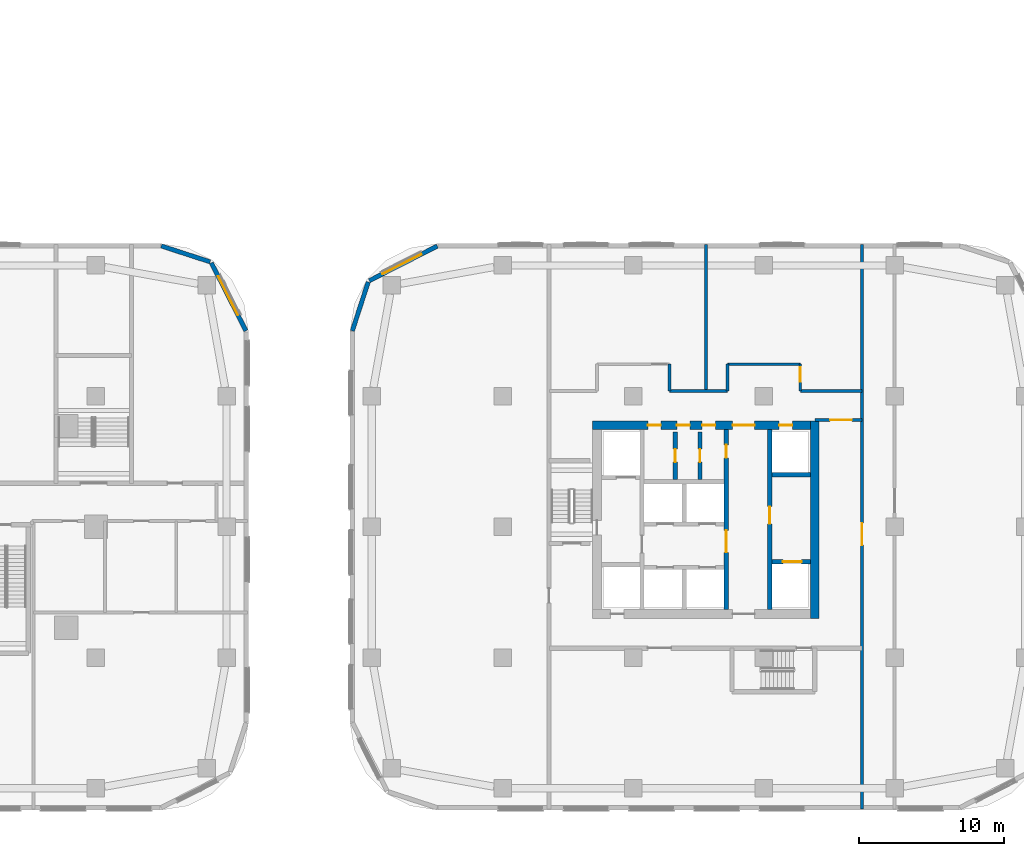
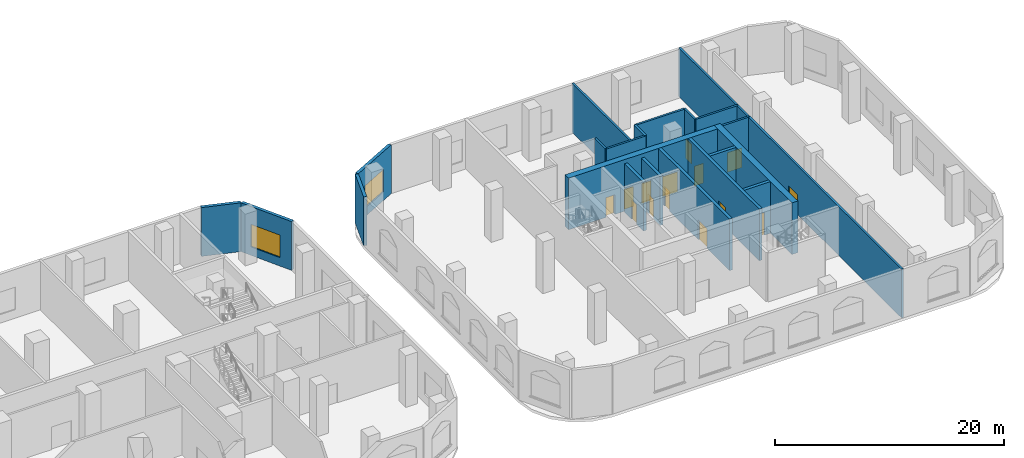
# One storey, part 10 of 31: 21 walls, 14 doors, 2 windows, 16 openings.
"""IFC4 building model written with IfcOpenShell, lengths in metres."""

from ifc_helpers import new_model, si_unit, direction, frame, frame_2d, origin, place, context, subcontext, project, spatial, rectangle, extrude, material, layer, layer_set, type_object, element, fill, save


model = new_model("IFC4")

# Units and contexts
model_context = context("Model", 3, precision=1e-05, world=origin(), true_north=direction((0.0, 1.0)))
body_context = subcontext(model_context, "Body", "Model", "MODEL_VIEW")
ifc_project = project(units=[si_unit("LENGTHUNIT", "METRE"), si_unit("AREAUNIT", "SQUARE_METRE"), si_unit("VOLUMEUNIT", "CUBIC_METRE"), si_unit("PLANEANGLEUNIT", "RADIAN"), si_unit("MASSUNIT", "GRAM", prefix="KILO")], contexts=[model_context])

# Site, building, storey
site_placement = place(None, origin())
site = spatial("IfcSite", under=ifc_project, at=site_placement, CompositionType="ELEMENT")
building_placement = place(site_placement, origin())
building = spatial("IfcBuilding", under=site, at=building_placement, Name="Ogive Portal Towers", CompositionType="ELEMENT")
storey_placement = place(building_placement, frame((0.0, 0.0, 8.0)))
storey = spatial("IfcBuildingStorey", under=building, at=storey_placement, Name="L01", CompositionType="ELEMENT", Elevation=8.0)

# Wall, openings, doors
ifc_material_1 = material(Name="Concrete C60/75", Category="concrete")
ifc_layer_1 = layer(ifc_material_1, 0.300048828125)
ifc_layer_set_1 = layer_set([ifc_layer_1], Name="CORE WALL 300 C60")
wall_type_1 = type_object("IfcWallType", Name="CORE WALL 300 C60", PredefinedType="SHEAR", material=ifc_layer_set_1)
wall_1_placement = place(storey_placement, frame((137.89990234375, 24.800048828125, 0.0), z_axis=(0.0, 0.0, 1.0), x_axis=(0.0, 1.0, 0.0)))
wall_1 = element("IfcWall", 1, at=wall_1_placement, inside=storey, type_object=wall_type_1, Name="Tower B core wall BX2 L01", PredefinedType="SHEAR", context=body_context, shape_type="SweptSolid", body=[
    extrude(rectangle(XDim=12.39990234375, YDim=0.300048828125, at=frame_2d((6.199951171875, 0.0))), origin(), (0.0, 0.0, 1.0), 5.5),
])
opening_1_placement = place(wall_1_placement, frame((3.949951171875, 0.0, 0.0)))
opening_1 = element("IfcOpeningElement", 2, at=opening_1_placement, cuts=wall_1, Name="Opening P01-044", PredefinedType="OPENING", context=body_context, shape_type="SweptSolid", body=[
    extrude(rectangle(XDim=1.5, YDim=2.10009765625, at=frame_2d((0.75, 1.050048828125))), frame((0.0, 0.16015625, 0.0), z_axis=(0.0, -1.0, 0.0), x_axis=(1.0, 0.0, 0.0)), (0.0, 0.0, 1.0), 0.320068359375),
])
opening_2_placement = place(wall_1_placement, frame((10.449951171875, 0.0, 0.0)))
opening_2 = element("IfcOpeningElement", 3, at=opening_2_placement, cuts=wall_1, Name="Opening P01-061", PredefinedType="OPENING", context=body_context, shape_type="SweptSolid", body=[
    extrude(rectangle(XDim=0.89990234375, YDim=2.10009765625, at=frame_2d((0.449951171875, 1.050048828125))), frame((0.0, 0.16015625, 0.0), z_axis=(0.0, -1.0, 0.0), x_axis=(1.0, 0.0, 0.0)), (0.0, 0.0, 1.0), 0.320068359375),
])
ifc_material_2 = material(Name="Steel fire door", Category="steel")
door_type_1 = type_object("IfcDoorType", Name="DT-SWING-1500x2100-FD90S", OperationType="SINGLE_SWING_LEFT", PredefinedType="DOOR", material=ifc_material_2)
door_1_placement = place(opening_1_placement, origin())
door_1 = element("IfcDoor", 4, at=door_1_placement, inside=storey, type_object=door_type_1, Name="Door P01-044", OperationType="SINGLE_SWING_RIGHT", OverallHeight=2.10009765625, OverallWidth=1.5, PredefinedType="DOOR", context=body_context, shape_type="SweptSolid", body=[
    extrude(rectangle(XDim=1.5, YDim=2.10009765625, at=frame_2d((0.75, 1.050048828125))), frame((0.0, 0.02490234375, 0.0), z_axis=(0.0, -1.0, 0.0), x_axis=(1.0, 0.0, 0.0)), (0.0, 0.0, 1.0), 0.050048828125),
])
fill(opening_1, door_1)
door_type_2 = type_object("IfcDoorType", Name="DT-SWING-900x2100-FD90S", OperationType="SINGLE_SWING_LEFT", PredefinedType="DOOR", material=ifc_material_2)
door_2_placement = place(opening_2_placement, origin())
door_2 = element("IfcDoor", 5, at=door_2_placement, inside=storey, type_object=door_type_2, Name="Door P01-061", OperationType="SINGLE_SWING_RIGHT", OverallHeight=2.10009765625, OverallWidth=0.89990234375, PredefinedType="DOOR", context=body_context, shape_type="SweptSolid", body=[
    extrude(rectangle(XDim=0.89990234375, YDim=2.10009765625, at=frame_2d((0.449951171875, 1.050048828125))), frame((0.0, 0.02490234375, 0.0), z_axis=(0.0, -1.0, 0.0), x_axis=(1.0, 0.0, 0.0)), (0.0, 0.0, 1.0), 0.050048828125),
])
fill(opening_2, door_2)

# Wall, opening, door
wall_2_placement = place(storey_placement, frame((140.89990234375, 24.800048828125, 0.0), z_axis=(0.0, 0.0, 1.0), x_axis=(0.0, 1.0, 0.0)))
wall_2 = element("IfcWall", 6, at=wall_2_placement, inside=storey, type_object=wall_type_1, Name="Tower B core wall BX3 L01", PredefinedType="SHEAR", context=body_context, shape_type="SweptSolid", body=[
    extrude(rectangle(XDim=12.39990234375, YDim=0.300048828125, at=frame_2d((6.199951171875, 0.0))), origin(), (0.0, 0.0, 1.0), 5.5),
])
opening_3_placement = place(wall_2_placement, frame((5.89990234375, 0.0, 0.0)))
opening_3 = element("IfcOpeningElement", 7, at=opening_3_placement, cuts=wall_2, Name="Opening P01-046", PredefinedType="OPENING", context=body_context, shape_type="SweptSolid", body=[
    extrude(rectangle(XDim=1.199951171875, YDim=2.10009765625, at=frame_2d((0.60009765625, 1.050048828125))), frame((0.0, 0.16015625, 0.0), z_axis=(0.0, -1.0, 0.0), x_axis=(1.0, 0.0, 0.0)), (0.0, 0.0, 1.0), 0.320068359375),
])
door_type_3 = type_object("IfcDoorType", Name="DT-SWING-1200x2100-FD90S", OperationType="SINGLE_SWING_LEFT", PredefinedType="DOOR", material=ifc_material_2)
door_3_placement = place(opening_3_placement, origin())
door_3 = element("IfcDoor", 8, at=door_3_placement, inside=storey, type_object=door_type_3, Name="Door P01-046", OperationType="SINGLE_SWING_RIGHT", OverallHeight=2.10009765625, OverallWidth=1.199951171875, PredefinedType="DOOR", context=body_context, shape_type="SweptSolid", body=[
    extrude(rectangle(XDim=1.199951171875, YDim=2.10009765625, at=frame_2d((0.60009765625, 1.050048828125))), frame((0.0, 0.02490234375, 0.0), z_axis=(0.0, -1.0, 0.0), x_axis=(1.0, 0.0, 0.0)), (0.0, 0.0, 1.0), 0.050048828125),
])
fill(opening_3, door_3)

wall_3_placement = place(storey_placement, frame((141.050048828125, 28.10009765625, 0.0), z_axis=(0.0, 0.0, 1.0), x_axis=(1.0, 0.0, 0.0)))
wall_3 = element("IfcWall", 9, at=wall_3_placement, inside=storey, type_object=wall_type_1, Name="Tower B core wall BY6 L01", PredefinedType="SHEAR", context=body_context, shape_type="SweptSolid", body=[
    extrude(rectangle(XDim=2.64990234375, YDim=0.300048828125, at=frame_2d((1.324951171875, 0.0))), origin(), (0.0, 0.0, 1.0), 5.5),
])
opening_4_placement = place(wall_3_placement, frame((0.75, 0.0, 0.0)))
opening_4 = element("IfcOpeningElement", 10, at=opening_4_placement, cuts=wall_3, Name="Opening P01-057", PredefinedType="OPENING", context=body_context, shape_type="SweptSolid", body=[
    extrude(rectangle(XDim=1.300048828125, YDim=2.39990234375, at=frame_2d((0.64990234375, 1.199951171875))), frame((0.0, 0.16015625, 0.0), z_axis=(0.0, -1.0, 0.0), x_axis=(1.0, 0.0, 0.0)), (0.0, 0.0, 1.0), 0.320068359375),
])
ifc_material_3 = material(Name="Stainless steel", Category="steel")
door_type_4 = type_object("IfcDoorType", Name="DT-LD-1300x2400", OperationType="SLIDING_TO_LEFT", PredefinedType="DOOR", material=ifc_material_3)
door_4_placement = place(opening_4_placement, origin())
door_4 = element("IfcDoor", 11, at=door_4_placement, inside=storey, type_object=door_type_4, Name="Door P01-057", OperationType="SLIDING_TO_LEFT", OverallHeight=2.39990234375, OverallWidth=1.300048828125, PredefinedType="DOOR", context=body_context, shape_type="SweptSolid", body=[
    extrude(rectangle(XDim=1.300048828125, YDim=2.39990234375, at=frame_2d((0.64990234375, 1.199951171875))), frame((0.0, 0.02490234375, 0.0), z_axis=(0.0, -1.0, 0.0), x_axis=(1.0, 0.0, 0.0)), (0.0, 0.0, 1.0), 0.050048828125),
])
fill(opening_4, door_4)

# Walls
wall_4_placement = place(storey_placement, frame((141.050048828125, 34.10009765625, 0.0), z_axis=(0.0, 0.0, 1.0), x_axis=(1.0, 0.0, 0.0)))
element("IfcWall", 12, at=wall_4_placement, inside=storey, type_object=wall_type_1, Name="Tower B core wall BY7 L01", PredefinedType="SHEAR", context=body_context, shape_type="SweptSolid", body=[
    extrude(rectangle(XDim=2.64990234375, YDim=0.300048828125, at=frame_2d((1.324951171875, 0.0))), origin(), (0.0, 0.0, 1.0), 5.5),
])
ifc_layer_2 = layer(ifc_material_1, 0.60009765625)
ifc_layer_set_2 = layer_set([ifc_layer_2], Name="CORE WALL 600 C60")
wall_type_2 = type_object("IfcWallType", Name="CORE WALL 600 C60", PredefinedType="SHEAR", material=ifc_layer_set_2)
wall_5_placement = place(storey_placement, frame((144.0, 24.199951171875, 0.0), z_axis=(0.0, 0.0, 1.0), x_axis=(0.0, 1.0, 0.0)))
element("IfcWall", 13, at=wall_5_placement, inside=storey, type_object=wall_type_2, Name="Tower B core wall BE L01", PredefinedType="SHEAR", context=body_context, shape_type="SweptSolid", body=[
    extrude(rectangle(XDim=13.60009765625, YDim=0.60009765625, at=frame_2d((6.800048828125, 0.0))), origin(), (0.0, 0.0, 1.0), 5.5),
])

# Wall, openings, doors
wall_6_placement = place(storey_placement, frame((128.699951171875, 37.5, 0.0), z_axis=(0.0, 0.0, 1.0), x_axis=(1.0, 0.0, 0.0)))
wall_6 = element("IfcWall", 14, at=wall_6_placement, inside=storey, type_object=wall_type_2, Name="Tower B core wall BN L01", PredefinedType="SHEAR", context=body_context, shape_type="SweptSolid", body=[
    extrude(rectangle(XDim=15.0, YDim=0.60009765625, at=frame_2d((7.5, 0.0))), origin(), (0.0, 0.0, 1.0), 5.5),
])
opening_5_placement = place(wall_6_placement, frame((9.64990234375, 0.0, 0.0)))
opening_5 = element("IfcOpeningElement", 15, at=opening_5_placement, cuts=wall_6, Name="Opening P01-049", PredefinedType="OPENING", context=body_context, shape_type="SweptSolid", body=[
    extrude(rectangle(XDim=1.5, YDim=2.10009765625, at=frame_2d((0.75, 1.050048828125))), frame((0.0, 0.31005859375, 0.0), z_axis=(0.0, -1.0, 0.0), x_axis=(1.0, 0.0, 0.0)), (0.0, 0.0, 1.0), 0.6201171875),
])
opening_6_placement = place(wall_6_placement, frame((12.85009765625, 0.0, 0.0)))
opening_6 = element("IfcOpeningElement", 16, at=opening_6_placement, cuts=wall_6, Name="Opening P01-051", PredefinedType="OPENING", context=body_context, shape_type="SweptSolid", body=[
    extrude(rectangle(XDim=0.89990234375, YDim=2.10009765625, at=frame_2d((0.449951171875, 1.050048828125))), frame((0.0, 0.31005859375, 0.0), z_axis=(0.0, -1.0, 0.0), x_axis=(1.0, 0.0, 0.0)), (0.0, 0.0, 1.0), 0.6201171875),
])
opening_7_placement = place(wall_6_placement, frame((3.800048828125, 0.0, 0.0)))
opening_7 = element("IfcOpeningElement", 17, at=opening_7_placement, cuts=wall_6, Name="Opening P01-058", PredefinedType="OPENING", context=body_context, shape_type="SweptSolid", body=[
    extrude(rectangle(XDim=0.89990234375, YDim=2.10009765625, at=frame_2d((0.449951171875, 1.050048828125))), frame((0.0, 0.31005859375, 0.0), z_axis=(0.0, -1.0, 0.0), x_axis=(1.0, 0.0, 0.0)), (0.0, 0.0, 1.0), 0.6201171875),
])
opening_8_placement = place(wall_6_placement, frame((5.800048828125, 0.0, 0.0)))
opening_8 = element("IfcOpeningElement", 18, at=opening_8_placement, cuts=wall_6, Name="Opening P01-059", PredefinedType="OPENING", context=body_context, shape_type="SweptSolid", body=[
    extrude(rectangle(XDim=0.89990234375, YDim=2.10009765625, at=frame_2d((0.449951171875, 1.050048828125))), frame((0.0, 0.31005859375, 0.0), z_axis=(0.0, -1.0, 0.0), x_axis=(1.0, 0.0, 0.0)), (0.0, 0.0, 1.0), 0.6201171875),
])
opening_9_placement = place(wall_6_placement, frame((7.550048828125, 0.0, 0.0)))
opening_9 = element("IfcOpeningElement", 19, at=opening_9_placement, cuts=wall_6, Name="Opening P01-060", PredefinedType="OPENING", context=body_context, shape_type="SweptSolid", body=[
    extrude(rectangle(XDim=0.89990234375, YDim=2.10009765625, at=frame_2d((0.449951171875, 1.050048828125))), frame((0.0, 0.31005859375, 0.0), z_axis=(0.0, -1.0, 0.0), x_axis=(1.0, 0.0, 0.0)), (0.0, 0.0, 1.0), 0.6201171875),
])
door_5_placement = place(opening_5_placement, origin())
door_5 = element("IfcDoor", 20, at=door_5_placement, inside=storey, type_object=door_type_1, Name="Door P01-049", OperationType="SINGLE_SWING_RIGHT", OverallHeight=2.10009765625, OverallWidth=1.5, PredefinedType="DOOR", context=body_context, shape_type="SweptSolid", body=[
    extrude(rectangle(XDim=1.5, YDim=2.10009765625, at=frame_2d((0.75, 1.050048828125))), frame((0.0, 0.02490234375, 0.0), z_axis=(0.0, -1.0, 0.0), x_axis=(1.0, 0.0, 0.0)), (0.0, 0.0, 1.0), 0.050048828125),
])
fill(opening_5, door_5)
door_6_placement = place(opening_6_placement, origin())
door_6 = element("IfcDoor", 21, at=door_6_placement, inside=storey, type_object=door_type_2, Name="Riser access door P01-051", OperationType="SINGLE_SWING_RIGHT", OverallHeight=2.10009765625, OverallWidth=0.89990234375, PredefinedType="DOOR", context=body_context, shape_type="SweptSolid", body=[
    extrude(rectangle(XDim=0.89990234375, YDim=2.10009765625, at=frame_2d((0.449951171875, 1.050048828125))), frame((0.0, 0.02490234375, 0.0), z_axis=(0.0, -1.0, 0.0), x_axis=(1.0, 0.0, 0.0)), (0.0, 0.0, 1.0), 0.050048828125),
])
fill(opening_6, door_6)
door_7_placement = place(opening_7_placement, origin())
door_7 = element("IfcDoor", 22, at=door_7_placement, inside=storey, type_object=door_type_2, Name="Door P01-058", OperationType="SINGLE_SWING_LEFT", OverallHeight=2.10009765625, OverallWidth=0.89990234375, PredefinedType="DOOR", context=body_context, shape_type="SweptSolid", body=[
    extrude(rectangle(XDim=0.89990234375, YDim=2.10009765625, at=frame_2d((0.449951171875, 1.050048828125))), frame((0.0, 0.02490234375, 0.0), z_axis=(0.0, -1.0, 0.0), x_axis=(1.0, 0.0, 0.0)), (0.0, 0.0, 1.0), 0.050048828125),
])
fill(opening_7, door_7)
door_8_placement = place(opening_8_placement, origin())
door_8 = element("IfcDoor", 23, at=door_8_placement, inside=storey, type_object=door_type_2, Name="Door P01-059", OperationType="SINGLE_SWING_RIGHT", OverallHeight=2.10009765625, OverallWidth=0.89990234375, PredefinedType="DOOR", context=body_context, shape_type="SweptSolid", body=[
    extrude(rectangle(XDim=0.89990234375, YDim=2.10009765625, at=frame_2d((0.449951171875, 1.050048828125))), frame((0.0, 0.02490234375, 0.0), z_axis=(0.0, -1.0, 0.0), x_axis=(1.0, 0.0, 0.0)), (0.0, 0.0, 1.0), 0.050048828125),
])
fill(opening_8, door_8)
door_9_placement = place(opening_9_placement, origin())
door_9 = element("IfcDoor", 24, at=door_9_placement, inside=storey, type_object=door_type_2, Name="Door P01-060", OperationType="SINGLE_SWING_LEFT", OverallHeight=2.10009765625, OverallWidth=0.89990234375, PredefinedType="DOOR", context=body_context, shape_type="SweptSolid", body=[
    extrude(rectangle(XDim=0.89990234375, YDim=2.10009765625, at=frame_2d((0.449951171875, 1.050048828125))), frame((0.0, 0.02490234375, 0.0), z_axis=(0.0, -1.0, 0.0), x_axis=(1.0, 0.0, 0.0)), (0.0, 0.0, 1.0), 0.050048828125),
])
fill(opening_9, door_9)

# Wall, opening, window
ifc_material_4 = material(Name="Limestone cladding on lightweight block wall", Category="masonry")
ifc_layer_3 = layer(ifc_material_4, 0.300048828125)
ifc_layer_set_3 = layer_set([ifc_layer_3], Name="EXTERNAL WALL 300 STONE")
wall_type_3 = type_object("IfcWallType", Name="EXTERNAL WALL 300 STONE", PredefinedType="SOLIDWALL", material=ifc_layer_set_3)
wall_7_placement = place(storey_placement, frame((104.833740234375, 43.99609375, 0.0), z_axis=(0.0, 0.0, 1.0), x_axis=(-0.454006562826, 0.890998339455, 0.0)))
wall_7 = element("IfcWall", 25, at=wall_7_placement, inside=storey, type_object=wall_type_3, Name="A:L01:f06:w0", PredefinedType="SOLIDWALL", context=body_context, shape_type="SweptSolid", body=[
    extrude(rectangle(XDim=5.251708984375, YDim=0.300048828125, at=frame_2d((2.6259765625, 0.0))), origin(), (0.0, 0.0, 1.0), 5.199951171875),
])
opening_10_placement = place(wall_7_placement, frame((1.223876953125, 0.0, 0.89990234375)))
opening_10 = element("IfcOpeningElement", 26, at=opening_10_placement, cuts=wall_7, Name="Opening WN3", PredefinedType="OPENING", context=body_context, shape_type="SweptSolid", body=[
    extrude(rectangle(XDim=3.0, YDim=2.39990234375, at=frame_2d((1.5, 1.199951171875))), frame((0.0, 0.16015625, 0.0), z_axis=(0.0, -1.0, 0.0), x_axis=(1.0, 0.0, 0.0)), (0.0, 0.0, 1.0), 0.320068359375),
])
ifc_material_5 = material(Name="Glass, clear low-iron insulated glazing", Category="glass")
window_type = type_object("IfcWindowType", Name="WINDOW PODIUM 3000x2400", PartitioningType="SINGLE_PANEL", PredefinedType="WINDOW", material=ifc_material_5)
window_1_placement = place(opening_10_placement, origin())
window_1 = element("IfcWindow", 27, at=window_1_placement, inside=storey, type_object=window_type, Name="A:L01:f06:w0:o0", OverallHeight=2.39990234375, OverallWidth=3.0, PartitioningType="SINGLE_PANEL", PredefinedType="WINDOW", context=body_context, shape_type="SweptSolid", body=[
    extrude(rectangle(XDim=3.0, YDim=2.39990234375, at=frame_2d((1.5, 1.199951171875))), frame((0.0, 0.030029296875, 0.0), z_axis=(0.0, -1.0, 0.0), x_axis=(1.0, 0.0, 0.0)), (0.0, 0.0, 1.0), 0.06005859375),
])
fill(opening_10, window_1)

# Wall
wall_8_placement = place(storey_placement, frame((102.362060546875, 48.749755859375, 0.0), z_axis=(0.0, 0.0, 1.0), x_axis=(-0.951038127287, 0.309073584194, 0.0)))
element("IfcWall", 28, at=wall_8_placement, inside=storey, type_object=wall_type_3, Name="A:L01:f07:w0", PredefinedType="SOLIDWALL", context=body_context, shape_type="SweptSolid", body=[
    extrude(rectangle(XDim=3.536376953125, YDim=0.300048828125, at=frame_2d((1.76806640625, 0.0))), origin(), (0.0, 0.0, 1.0), 5.199951171875),
])

# Wall, opening, window
wall_9_placement = place(storey_placement, frame((118.00390625, 49.833740234375, 0.0), z_axis=(0.0, 0.0, 1.0), x_axis=(-0.890998339455, -0.454006562826, 0.0)))
wall_9 = element("IfcWall", 29, at=wall_9_placement, inside=storey, type_object=wall_type_3, Name="B:L01:f09:w0", PredefinedType="SOLIDWALL", context=body_context, shape_type="SweptSolid", body=[
    extrude(rectangle(XDim=5.251708984375, YDim=0.300048828125, at=frame_2d((2.6259765625, 0.0))), origin(), (0.0, 0.0, 1.0), 5.199951171875),
])
opening_11_placement = place(wall_9_placement, frame((1.223876953125, 0.0, 0.89990234375)))
opening_11 = element("IfcOpeningElement", 30, at=opening_11_placement, cuts=wall_9, Name="Opening WN3", PredefinedType="OPENING", context=body_context, shape_type="SweptSolid", body=[
    extrude(rectangle(XDim=3.0, YDim=2.39990234375, at=frame_2d((1.5, 1.199951171875))), frame((0.0, 0.16015625, 0.0), z_axis=(0.0, -1.0, 0.0), x_axis=(1.0, 0.0, 0.0)), (0.0, 0.0, 1.0), 0.320068359375),
])
window_2_placement = place(opening_11_placement, origin())
window_2 = element("IfcWindow", 31, at=window_2_placement, inside=storey, type_object=window_type, Name="B:L01:f09:w0:o0", OverallHeight=2.39990234375, OverallWidth=3.0, PartitioningType="SINGLE_PANEL", PredefinedType="WINDOW", context=body_context, shape_type="SweptSolid", body=[
    extrude(rectangle(XDim=3.0, YDim=2.39990234375, at=frame_2d((1.5, 1.199951171875))), frame((0.0, 0.030029296875, 0.0), z_axis=(0.0, -1.0, 0.0), x_axis=(1.0, 0.0, 0.0)), (0.0, 0.0, 1.0), 0.06005859375),
])
fill(opening_11, window_2)

# Wall
wall_10_placement = place(storey_placement, frame((113.250244140625, 47.362060546875, 0.0), z_axis=(0.0, 0.0, 1.0), x_axis=(-0.309073584194, -0.951038127287, 0.0)))
element("IfcWall", 32, at=wall_10_placement, inside=storey, type_object=wall_type_3, Name="B:L01:f10:w0", PredefinedType="SOLIDWALL", context=body_context, shape_type="SweptSolid", body=[
    extrude(rectangle(XDim=3.536376953125, YDim=0.300048828125, at=frame_2d((1.76806640625, 0.0))), origin(), (0.0, 0.0, 1.0), 5.199951171875),
])

# Wall, opening, door
ifc_material_6 = material(Name="Gypsum board partition on steel studs", Category="steel")
ifc_layer_4 = layer(ifc_material_6, 0.199951171875)
ifc_layer_set_4 = layer_set([ifc_layer_4], Name="WT-PART-200-EI 60")
wall_type_4 = type_object("IfcWallType", Name="WT-PART-200-EI 60", PredefinedType="PARTITIONING", material=ifc_layer_set_4)
wall_11_placement = place(storey_placement, frame((144.02001953125, 37.85009765625, 0.0), z_axis=(0.0, 0.0, 1.0), x_axis=(1.0, 0.0, 0.0)))
wall_11 = element("IfcWall", 33, at=wall_11_placement, inside=storey, type_object=wall_type_4, Name="Wall L01:w019", PredefinedType="PARTITIONING", context=body_context, shape_type="SweptSolid", body=[
    extrude(rectangle(XDim=3.22998046875, YDim=0.199951171875, at=frame_2d((1.614990234375, 0.0))), origin(), (0.0, 0.0, 1.0), 5.199951171875),
])
opening_12_placement = place(wall_11_placement, frame((1.030029296875, 0.0, 0.0)))
opening_12 = element("IfcOpeningElement", 34, at=opening_12_placement, cuts=wall_11, Name="Opening P01-033", PredefinedType="OPENING", context=body_context, shape_type="SweptSolid", body=[
    extrude(rectangle(XDim=1.5, YDim=2.10009765625, at=frame_2d((0.75, 1.050048828125))), frame((0.0, 0.10986328125, 0.0), z_axis=(0.0, -1.0, 0.0), x_axis=(1.0, 0.0, 0.0)), (0.0, 0.0, 1.0), 0.219970703125),
])
door_type_5 = type_object("IfcDoorType", Name="DT-SWING-1500x2100-FD60S", OperationType="SINGLE_SWING_LEFT", PredefinedType="DOOR", material=ifc_material_2)
door_10_placement = place(opening_12_placement, origin())
door_10 = element("IfcDoor", 35, at=door_10_placement, inside=storey, type_object=door_type_5, Name="Door P01-033", OperationType="SINGLE_SWING_LEFT", OverallHeight=2.10009765625, OverallWidth=1.5, PredefinedType="DOOR", context=body_context, shape_type="SweptSolid", body=[
    extrude(rectangle(XDim=1.5, YDim=2.10009765625, at=frame_2d((0.75, 1.050048828125))), frame((0.0, 0.02490234375, 0.0), z_axis=(0.0, -1.0, 0.0), x_axis=(1.0, 0.0, 0.0)), (0.0, 0.0, 1.0), 0.050048828125),
])
fill(opening_12, door_10)

# Walls
wall_12_placement = place(storey_placement, frame((134.0, 39.85009765625, 0.0), z_axis=(0.0, 0.0, 1.0), x_axis=(1.0, 0.0, 0.0)))
element("IfcWall", 36, at=wall_12_placement, inside=storey, type_object=wall_type_4, Name="Wall L01:w023", PredefinedType="PARTITIONING", context=body_context, shape_type="SweptSolid", body=[
    extrude(rectangle(XDim=4.0, YDim=0.199951171875, at=frame_2d((2.0, 0.0))), origin(), (0.0, 0.0, 1.0), 5.199951171875),
])
wall_13_placement = place(storey_placement, frame((143.0, 39.85009765625, 0.0), z_axis=(0.0, 0.0, 1.0), x_axis=(1.0, 0.0, 0.0)))
element("IfcWall", 37, at=wall_13_placement, inside=storey, type_object=wall_type_4, Name="Wall L01:w024", PredefinedType="PARTITIONING", context=body_context, shape_type="SweptSolid", body=[
    extrude(rectangle(XDim=4.25, YDim=0.199951171875, at=frame_2d((2.125, 0.0))), origin(), (0.0, 0.0, 1.0), 5.199951171875),
])
wall_14_placement = place(storey_placement, frame((138.0, 41.699951171875, 0.0), z_axis=(0.0, 0.0, 1.0), x_axis=(1.0, 0.0, 0.0)))
element("IfcWall", 38, at=wall_14_placement, inside=storey, type_object=wall_type_4, Name="Wall L01:w026", PredefinedType="PARTITIONING", context=body_context, shape_type="SweptSolid", body=[
    extrude(rectangle(XDim=5.0, YDim=0.199951171875, at=frame_2d((2.5, 0.0))), origin(), (0.0, 0.0, 1.0), 5.199951171875),
])
wall_15_placement = place(storey_placement, frame((134.0, 39.85009765625, 0.0), z_axis=(0.0, 0.0, 1.0), x_axis=(0.0, 1.0, 0.0)))
element("IfcWall", 39, at=wall_15_placement, inside=storey, type_object=wall_type_4, Name="Wall L01:w052", PredefinedType="PARTITIONING", context=body_context, shape_type="SweptSolid", body=[
    extrude(rectangle(XDim=1.849853515625, YDim=0.199951171875, at=frame_2d((0.9248046875, 0.0))), origin(), (0.0, 0.0, 1.0), 5.199951171875),
])
wall_16_placement = place(storey_placement, frame((136.5, 39.85009765625, 0.0), z_axis=(0.0, 0.0, 1.0), x_axis=(0.0, 1.0, 0.0)))
element("IfcWall", 40, at=wall_16_placement, inside=storey, type_object=wall_type_4, Name="Wall L01:w055", PredefinedType="PARTITIONING", context=body_context, shape_type="SweptSolid", body=[
    extrude(rectangle(XDim=10.079833984375, YDim=0.199951171875, at=frame_2d((5.0400390625, 0.0))), origin(), (0.0, 0.0, 1.0), 5.199951171875),
])
wall_17_placement = place(storey_placement, frame((138.0, 39.85009765625, 0.0), z_axis=(0.0, 0.0, 1.0), x_axis=(0.0, 1.0, 0.0)))
element("IfcWall", 41, at=wall_17_placement, inside=storey, type_object=wall_type_4, Name="Wall L01:w056", PredefinedType="PARTITIONING", context=body_context, shape_type="SweptSolid", body=[
    extrude(rectangle(XDim=1.849853515625, YDim=0.199951171875, at=frame_2d((0.9248046875, 0.0))), origin(), (0.0, 0.0, 1.0), 5.199951171875),
])

# Wall, opening, door
wall_18_placement = place(storey_placement, frame((143.0, 39.85009765625, 0.0), z_axis=(0.0, 0.0, 1.0), x_axis=(0.0, 1.0, 0.0)))
wall_18 = element("IfcWall", 42, at=wall_18_placement, inside=storey, type_object=wall_type_4, Name="Wall L01:w058", PredefinedType="PARTITIONING", context=body_context, shape_type="SweptSolid", body=[
    extrude(rectangle(XDim=1.849853515625, YDim=0.199951171875, at=frame_2d((0.9248046875, 0.0))), origin(), (0.0, 0.0, 1.0), 5.199951171875),
])
opening_13_placement = place(wall_18_placement, frame((0.64990234375, 0.0, 0.0)))
opening_13 = element("IfcOpeningElement", 43, at=opening_13_placement, cuts=wall_18, Name="Opening P01-043", PredefinedType="OPENING", context=body_context, shape_type="SweptSolid", body=[
    extrude(rectangle(XDim=1.0, YDim=2.10009765625, at=frame_2d((0.5, 1.050048828125))), frame((0.0, 0.10986328125, 0.0), z_axis=(0.0, -1.0, 0.0), x_axis=(1.0, 0.0, 0.0)), (0.0, 0.0, 1.0), 0.219970703125),
])
door_type_6 = type_object("IfcDoorType", Name="DT-SWING-1000x2100-FD60S", OperationType="SINGLE_SWING_LEFT", PredefinedType="DOOR", material=ifc_material_2)
door_11_placement = place(opening_13_placement, origin())
door_11 = element("IfcDoor", 44, at=door_11_placement, inside=storey, type_object=door_type_6, Name="Door P01-043", OperationType="SINGLE_SWING_LEFT", OverallHeight=2.10009765625, OverallWidth=1.0, PredefinedType="DOOR", context=body_context, shape_type="SweptSolid", body=[
    extrude(rectangle(XDim=1.0, YDim=2.10009765625, at=frame_2d((0.5, 1.050048828125))), frame((0.0, 0.02490234375, 0.0), z_axis=(0.0, -1.0, 0.0), x_axis=(1.0, 0.0, 0.0)), (0.0, 0.0, 1.0), 0.050048828125),
])
fill(opening_13, door_11)

wall_19_placement = place(storey_placement, frame((147.25, 11.070068359375, 0.0), z_axis=(0.0, 0.0, 1.0), x_axis=(0.0, 1.0, 0.0)))
wall_19 = element("IfcWall", 45, at=wall_19_placement, inside=storey, type_object=wall_type_4, Name="Wall L01:w062", PredefinedType="PARTITIONING", context=body_context, shape_type="SweptSolid", body=[
    extrude(rectangle(XDim=38.85986328125, YDim=0.199951171875, at=frame_2d((19.429931640625, 0.0))), origin(), (0.0, 0.0, 1.0), 5.199951171875),
])
opening_14_placement = place(wall_19_placement, frame((18.179931640625, 0.0, 0.0)))
opening_14 = element("IfcOpeningElement", 46, at=opening_14_placement, cuts=wall_19, Name="Opening P01-038", PredefinedType="OPENING", context=body_context, shape_type="SweptSolid", body=[
    extrude(rectangle(XDim=1.5, YDim=2.10009765625, at=frame_2d((0.75, 1.050048828125))), frame((0.0, 0.10986328125, 0.0), z_axis=(0.0, -1.0, 0.0), x_axis=(1.0, 0.0, 0.0)), (0.0, 0.0, 1.0), 0.219970703125),
])
door_12_placement = place(opening_14_placement, origin())
door_12 = element("IfcDoor", 47, at=door_12_placement, inside=storey, type_object=door_type_5, Name="Door P01-038", OperationType="SINGLE_SWING_RIGHT", OverallHeight=2.10009765625, OverallWidth=1.5, PredefinedType="DOOR", context=body_context, shape_type="SweptSolid", body=[
    extrude(rectangle(XDim=1.5, YDim=2.10009765625, at=frame_2d((0.75, 1.050048828125))), frame((0.0, 0.02490234375, 0.0), z_axis=(0.0, -1.0, 0.0), x_axis=(1.0, 0.0, 0.0)), (0.0, 0.0, 1.0), 0.050048828125),
])
fill(opening_14, door_12)

ifc_layer_5 = layer(ifc_material_6, 0.300048828125)
ifc_layer_set_5 = layer_set([ifc_layer_5], Name="WT-PART-300-EI 60")
wall_type_5 = type_object("IfcWallType", Name="WT-PART-300-EI 60", PredefinedType="PARTITIONING", material=ifc_layer_set_5)
wall_20_placement = place(storey_placement, frame((134.39990234375, 33.77001953125, 0.0), z_axis=(0.0, 0.0, 1.0), x_axis=(0.0, 1.0, 0.0)))
wall_20 = element("IfcWall", 48, at=wall_20_placement, inside=storey, type_object=wall_type_5, Name="Wall L01:w053", PredefinedType="PARTITIONING", context=body_context, shape_type="SweptSolid", body=[
    extrude(rectangle(XDim=3.260009765625, YDim=0.300048828125, at=frame_2d((1.6298828125, 0.0))), origin(), (0.0, 0.0, 1.0), 5.199951171875),
])
opening_15_placement = place(wall_20_placement, frame((1.179931640625, 0.0, 0.0)))
opening_15 = element("IfcOpeningElement", 49, at=opening_15_placement, cuts=wall_20, Name="Opening P01-036", PredefinedType="OPENING", context=body_context, shape_type="SweptSolid", body=[
    extrude(rectangle(XDim=0.89990234375, YDim=2.10009765625, at=frame_2d((0.449951171875, 1.050048828125))), frame((0.0, 0.16015625, 0.0), z_axis=(0.0, -1.0, 0.0), x_axis=(1.0, 0.0, 0.0)), (0.0, 0.0, 1.0), 0.320068359375),
])
door_type_7 = type_object("IfcDoorType", Name="DT-SWING-900x2100-FD60S", OperationType="SINGLE_SWING_LEFT", PredefinedType="DOOR", material=ifc_material_2)
door_13_placement = place(opening_15_placement, origin())
door_13 = element("IfcDoor", 50, at=door_13_placement, inside=storey, type_object=door_type_7, Name="Door P01-036", OperationType="SINGLE_SWING_RIGHT", OverallHeight=2.10009765625, OverallWidth=0.89990234375, PredefinedType="DOOR", context=body_context, shape_type="SweptSolid", body=[
    extrude(rectangle(XDim=0.89990234375, YDim=2.10009765625, at=frame_2d((0.449951171875, 1.050048828125))), frame((0.0, 0.02490234375, 0.0), z_axis=(0.0, -1.0, 0.0), x_axis=(1.0, 0.0, 0.0)), (0.0, 0.0, 1.0), 0.050048828125),
])
fill(opening_15, door_13)

wall_21_placement = place(storey_placement, frame((136.10009765625, 33.77001953125, 0.0), z_axis=(0.0, 0.0, 1.0), x_axis=(0.0, 1.0, 0.0)))
wall_21 = element("IfcWall", 51, at=wall_21_placement, inside=storey, type_object=wall_type_5, Name="Wall L01:w054", PredefinedType="PARTITIONING", context=body_context, shape_type="SweptSolid", body=[
    extrude(rectangle(XDim=3.260009765625, YDim=0.300048828125, at=frame_2d((1.6298828125, 0.0))), origin(), (0.0, 0.0, 1.0), 5.199951171875),
])
opening_16_placement = place(wall_21_placement, frame((1.179931640625, 0.0, 0.0)))
opening_16 = element("IfcOpeningElement", 52, at=opening_16_placement, cuts=wall_21, Name="Opening P01-037", PredefinedType="OPENING", context=body_context, shape_type="SweptSolid", body=[
    extrude(rectangle(XDim=0.89990234375, YDim=2.10009765625, at=frame_2d((0.449951171875, 1.050048828125))), frame((0.0, 0.16015625, 0.0), z_axis=(0.0, -1.0, 0.0), x_axis=(1.0, 0.0, 0.0)), (0.0, 0.0, 1.0), 0.320068359375),
])
door_14_placement = place(opening_16_placement, origin())
door_14 = element("IfcDoor", 53, at=door_14_placement, inside=storey, type_object=door_type_7, Name="Door P01-037", OperationType="SINGLE_SWING_LEFT", OverallHeight=2.10009765625, OverallWidth=0.89990234375, PredefinedType="DOOR", context=body_context, shape_type="SweptSolid", body=[
    extrude(rectangle(XDim=0.89990234375, YDim=2.10009765625, at=frame_2d((0.449951171875, 1.050048828125))), frame((0.0, 0.02490234375, 0.0), z_axis=(0.0, -1.0, 0.0), x_axis=(1.0, 0.0, 0.0)), (0.0, 0.0, 1.0), 0.050048828125),
])
fill(opening_16, door_14)

save(model, "model.ifc")
